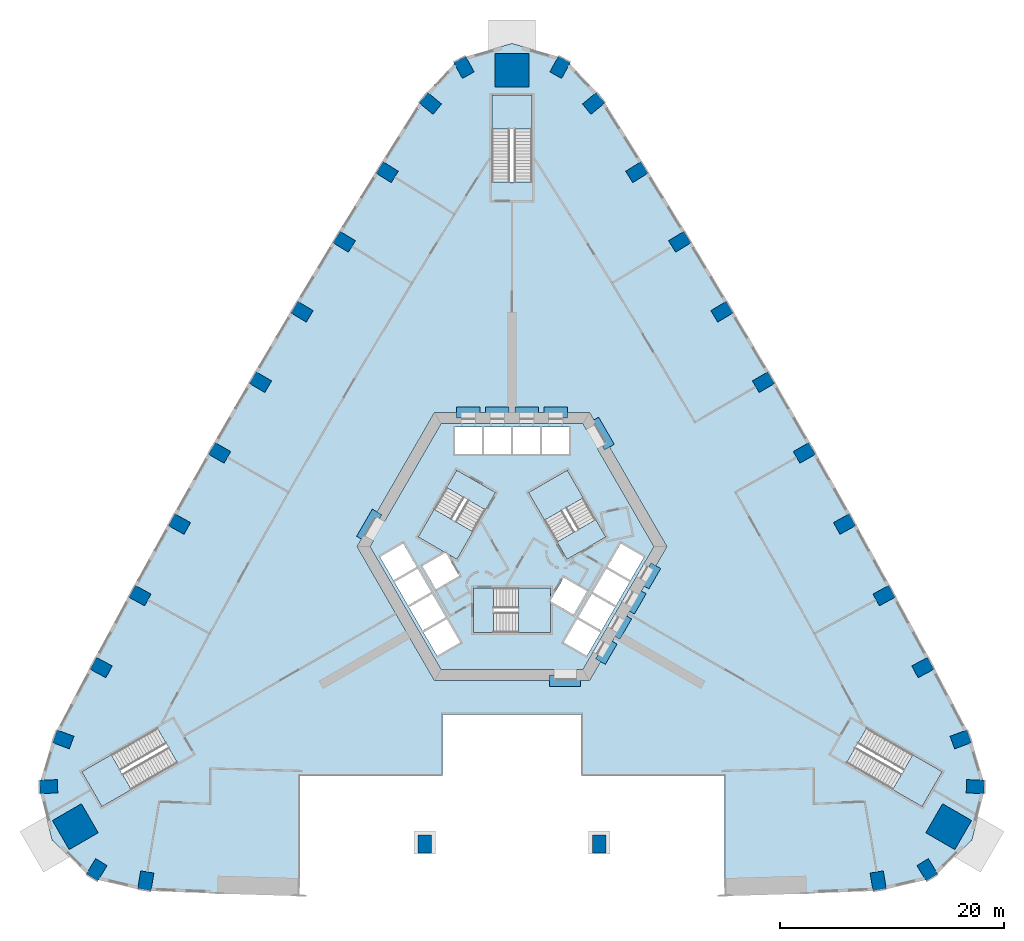
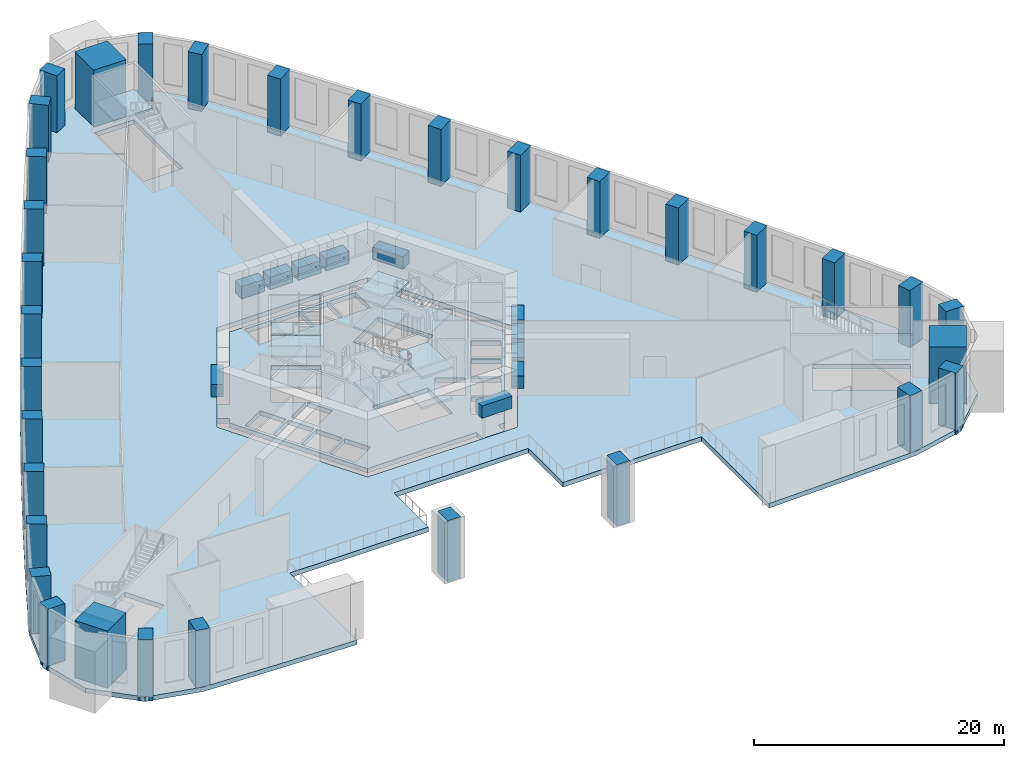
# One storey, part 1 of 15: 33 columns, 14 slabs, 11 beams, 6 elements without a shape of their own.
"""IFC4 building model written with IfcOpenShell, lengths in metres."""

from ifc_helpers import new_model, si_unit, direction, frame, origin, origin_2d, place, context, subcontext, project, spatial, polyline, rectangle, outline, extrude, material, layer, layer_set, material_profile, profile_set, type_object, element, aggregate, save


model = new_model("IFC4")

# Units and contexts
model_context = context("Model", 3, precision=1e-05, world=origin(), true_north=direction((0.0, 1.0)))
body_context = subcontext(model_context, "Body", "Model", "MODEL_VIEW")
ifc_project = project(units=[si_unit("LENGTHUNIT", "METRE"), si_unit("AREAUNIT", "SQUARE_METRE"), si_unit("VOLUMEUNIT", "CUBIC_METRE"), si_unit("PLANEANGLEUNIT", "RADIAN"), si_unit("MASSUNIT", "GRAM", prefix="KILO")], contexts=[model_context])

# Site, building, storey
site_placement = place(None, origin())
site = spatial("IfcSite", under=ifc_project, at=site_placement, CompositionType="ELEMENT")
building_placement = place(site_placement, origin())
building = spatial("IfcBuilding", under=site, at=building_placement, Name="Entoto Arch Interchange Tower", CompositionType="ELEMENT")
storey_placement = place(building_placement, frame((0.0, 0.0, 9.0)))
storey = spatial("IfcBuildingStorey", under=building, at=storey_placement, Name="L01", CompositionType="ELEMENT", Elevation=9.0)

# Columns
ifc_material_1 = material(Name="Concrete C60/75", Category="concrete")
ifc_material_profile_1 = material_profile(ifc_material_1, rectangle(XDim=1.199951171875, YDim=1.60009765625, at=origin_2d()))
ifc_profile_set_1 = profile_set([ifc_material_profile_1], Name="Concrete C60/75")
column_type_1 = type_object("IfcColumnType", Name="Column RC 1200x1600 C60/75", PredefinedType="COLUMN", material=ifc_profile_set_1)
for number, where, z_axis, x_axis, name in (
    (1, (-32.760986328125, -27.39697265625, -0.449951171875), (0.0, 0.0, 1.0), (-0.98600476771, 0.166717119856, 0.0), "Column S01 L01"),
    (2, (32.760986328125, -27.39697265625, -0.449951171875), (0.0, 0.0, 1.0), (0.98600476771, 0.166717119856, 0.0), "Column S06 L01"),
    (3, (37.152099609375, -26.410888671875, -0.449951171875), (0.0, 0.0, 1.0), (0.854522294989, 0.519414716163, 0.0), "Column SE1 L01"),
    (4, (41.447998046875, -18.968994140625, -0.449951171875), (0.0, 0.0, 1.0), (0.022565191802, 0.999745373642, 0.0), "Column SE3 L01"),
    (5, (40.14697265625, -14.7509765625, -0.449951171875), (0.0, 0.0, 1.0), (-0.348277574304, 0.937391450375, 0.0), "Column NE01 L01"),
    (6, (36.7529296875, -8.324951171875, -0.449951171875), (0.0, 0.0, 1.0), (-0.46931745221, 0.883029517656, 0.0), "Column NE02 L01"),
    (7, (33.282958984375, -1.888916015625, -0.449951171875), (0.0, 0.0, 1.0), (-0.478140110514, 0.878283573066, 0.0), "Column NE03 L01"),
    (8, (29.75, 4.511962890625, -0.449951171875), (0.0, 0.0, 1.0), (-0.486914781103, 0.873449481048, 0.0), "Column NE04 L01"),
    (9, (26.155029296875, 10.8798828125, -0.449951171875), (0.0, 0.0, 1.0), (-0.495655741916, 0.868519076074, 0.0), "Column NE05 L01"),
    (10, (22.5, 17.2109375, -0.449951171875), (0.0, 0.0, 1.0), (-0.504331712594, 0.863510002068, 0.0), "Column NE06 L01"),
    (11, (18.781982421875, 23.508056640625, -0.449951171875), (0.0, 0.0, 1.0), (-0.512972048958, 0.858405310438, 0.0), "Column NE07 L01"),
    (12, (15.0048828125, 29.76904296875, -0.449951171875), (0.0, 0.0, 1.0), (-0.521545830745, 0.853223268806, 0.0), "Column NE08 L01"),
    (13, (11.1669921875, 35.992919921875, -0.449951171875), (0.0, 0.0, 1.0), (-0.530067268476, 0.847955594881, 0.0), "Column NE09 L01"),
    (14, (7.299072265625, 42.14404296875, -0.449951171875), (0.0, 0.0, 1.0), (-0.637666022163, 0.770312952103, 0.0), "Column NE10 L01"),
    (15, (4.297119140625, 45.3798828125, -0.449951171875), (0.0, 0.0, 1.0), (-0.877079103306, 0.48034596547, 0.0), "Column N1 L01"),
    (16, (-4.297119140625, 45.3798828125, -0.449951171875), (0.0, 0.0, 1.0), (0.877079103306, 0.48034596547, 0.0), "Column N3 L01"),
    (17, (-7.299072265625, 42.14404296875, -0.449951171875), (0.0, 0.0, 1.0), (0.637666022163, 0.770312952103, 0.0), "Column NW01 L01"),
    (18, (-11.1669921875, 35.992919921875, -0.449951171875), (0.0, 0.0, 1.0), (0.530067268476, 0.847955594881, 0.0), "Column NW02 L01"),
    (19, (-15.0048828125, 29.76904296875, -0.449951171875), (0.0, 0.0, 1.0), (0.521545830745, 0.853223268806, 0.0), "Column NW03 L01"),
    (20, (-18.781982421875, 23.508056640625, -0.449951171875), (0.0, 0.0, 1.0), (0.512972048958, 0.858405310438, 0.0), "Column NW04 L01"),
    (21, (-22.5, 17.2109375, -0.449951171875), (0.0, 0.0, 1.0), (0.504331712594, 0.863510002068, 0.0), "Column NW05 L01"),
    (22, (-26.155029296875, 10.8798828125, -0.449951171875), (0.0, 0.0, 1.0), (0.495655741916, 0.868519076074, 0.0), "Column NW06 L01"),
    (23, (-29.75, 4.511962890625, -0.449951171875), (0.0, 0.0, 1.0), (0.486914781103, 0.873449481048, 0.0), "Column NW07 L01"),
    (24, (-33.282958984375, -1.888916015625, -0.449951171875), (0.0, 0.0, 1.0), (0.478140110514, 0.878283573066, 0.0), "Column NW08 L01"),
    (25, (-36.7529296875, -8.324951171875, -0.449951171875), (0.0, 0.0, 1.0), (0.46931745221, 0.883029517656, 0.0), "Column NW09 L01"),
    (26, (-40.14697265625, -14.7509765625, -0.449951171875), (0.0, 0.0, 1.0), (0.348277574304, 0.937391450375, 0.0), "Column NW10 L01"),
    (27, (-41.447998046875, -18.968994140625, -0.449951171875), (0.0, 0.0, 1.0), (-0.022565191802, 0.999745373642, 0.0), "Column SW1 L01"),
    (28, (-37.152099609375, -26.410888671875, -0.449951171875), (0.0, 0.0, 1.0), (-0.854522294989, 0.519414716163, 0.0), "Column SW3 L01"),
    (29, (-7.800048828125, -24.10009765625, -0.449951171875), (0.0, 0.0, 1.0), (1.0, 0.0, 0.0), "Column ARC-W L01"),
    (30, (7.800048828125, -24.10009765625, -0.449951171875), (0.0, 0.0, 1.0), (1.0, 0.0, 0.0), "Column ARC-E L01"),
):
    element("IfcColumn", number, at=place(storey_placement, frame(where, z_axis=z_axis, x_axis=x_axis)), inside=storey, type_object=column_type_1, Name=name, PredefinedType="COLUMN", context=body_context, shape_type="SweptSolid", body=[
        extrude(rectangle(XDim=1.199951171875, YDim=1.60009765625, at=origin_2d()), origin(), (0.0, 0.0, 1.0), 6.0),
    ])
ifc_material_profile_2 = material_profile(ifc_material_1, rectangle(XDim=3.0, YDim=3.0, at=origin_2d()))
ifc_profile_set_2 = profile_set([ifc_material_profile_2], Name="Concrete C60/75")
column_type_2 = type_object("IfcColumnType", Name="Mega column RC 3000x3000 C60/75", PredefinedType="COLUMN", material=ifc_profile_set_2)
for number, where, z_axis, x_axis, name in (
    (31, (39.069091796875, -22.555908203125, -0.449951171875), (0.0, 0.0, 1.0), (-0.866025403784, 0.5, 0.0), "Corner mega column SE2 L01"),
    (32, (0.0, 45.112060546875, -0.449951171875), (0.0, 0.0, 1.0), (0.0, 1.0, 0.0), "Corner mega column N2 L01"),
    (33, (-39.069091796875, -22.555908203125, -0.449951171875), (0.0, 0.0, 1.0), (0.866025403784, 0.5, 0.0), "Corner mega column SW2 L01"),
):
    element("IfcColumn", number, at=place(storey_placement, frame(where, z_axis=z_axis, x_axis=x_axis)), inside=storey, type_object=column_type_2, Name=name, PredefinedType="COLUMN", context=body_context, shape_type="SweptSolid", body=[
        extrude(rectangle(XDim=3.0, YDim=3.0, at=origin_2d()), origin(), (0.0, 0.0, 1.0), 6.0),
    ])

# Beams
ifc_material_profile_3 = material_profile(ifc_material_1, rectangle(XDim=1.0, YDim=1.199951171875, at=origin_2d()))
ifc_profile_set_3 = profile_set([ifc_material_profile_3], Name="Concrete C60/75")
beam_type = type_object("IfcBeamType", Name="Coupling beam RC 1000x1200 C60/75", PredefinedType="BEAM", material=ifc_profile_set_3)
beam_1_placement = place(storey_placement, frame((8.717041015625, 11.402099609375, 3.0), z_axis=(-0.500200581029, 0.865909567298, 0.0), x_axis=(-0.865909567298, -0.500200581029, 0.0)))
element("IfcBeam", 34, at=beam_1_placement, inside=storey, type_object=beam_type, Name="Coupling beam NE L01", PredefinedType="BEAM", context=body_context, shape_type="SweptSolid", body=[
    extrude(rectangle(XDim=1.0, YDim=1.199951171875, at=origin_2d()), origin(), (0.0, 0.0, 1.0), 2.799072265625),
])
beam_2_placement = place(storey_placement, frame((4.949951171875, 14.5, 3.0), z_axis=(-1.0, 0.0, 0.0), x_axis=(0.0, -1.0, 0.0)))
element("IfcBeam", 35, at=beam_2_placement, inside=storey, type_object=beam_type, Name="Coupling beam N L01", PredefinedType="BEAM", context=body_context, shape_type="SweptSolid", body=[
    extrude(rectangle(XDim=1.0, YDim=1.199951171875, at=origin_2d()), origin(), (0.0, 0.0, 1.0), 2.099853515625),
])
for number, where, z_axis, x_axis, name in (
    (36, (2.35009765625, 14.5, 3.0), (-1.0, 0.0, 0.0), (0.0, -1.0, 0.0), "Coupling beam N L01"),
    (37, (-0.25, 14.5, 3.0), (-1.0, 0.0, 0.0), (0.0, -1.0, 0.0), "Coupling beam N L01"),
):
    element("IfcBeam", number, at=place(storey_placement, frame(where, z_axis=z_axis, x_axis=x_axis)), inside=storey, type_object=beam_type, Name=name, PredefinedType="BEAM", context=body_context, shape_type="SweptSolid", body=[
        extrude(rectangle(XDim=1.0, YDim=1.199951171875, at=origin_2d()), origin(), (0.0, 0.0, 1.0), 2.10009765625),
    ])
beam_3_placement = place(storey_placement, frame((-2.85009765625, 14.5, 3.0), z_axis=(-1.0, 0.0, 0.0), x_axis=(0.0, -1.0, 0.0)))
element("IfcBeam", 38, at=beam_3_placement, inside=storey, type_object=beam_type, Name="Coupling beam N L01", PredefinedType="BEAM", context=body_context, shape_type="SweptSolid", body=[
    extrude(rectangle(XDim=1.0, YDim=1.199951171875, at=origin_2d()), origin(), (0.0, 0.0, 1.0), 2.099853515625),
])
beam_4_placement = place(storey_placement, frame((-12.06689453125, 5.597900390625, 3.0), z_axis=(-0.500200581029, -0.865909567298, 0.0), x_axis=(0.865909567298, -0.500200581029, 0.0)))
element("IfcBeam", 39, at=beam_4_placement, inside=storey, type_object=beam_type, Name="Coupling beam NW L01", PredefinedType="BEAM", context=body_context, shape_type="SweptSolid", body=[
    extrude(rectangle(XDim=1.0, YDim=1.199951171875, at=origin_2d()), origin(), (0.0, 0.0, 1.0), 2.799072265625),
])
beam_5_placement = place(storey_placement, frame((3.35009765625, -9.5, 3.0), z_axis=(1.0, 0.0, 0.0), x_axis=(0.0, 1.0, 0.0)))
element("IfcBeam", 40, at=beam_5_placement, inside=storey, type_object=beam_type, Name="Coupling beam S L01", PredefinedType="BEAM", context=body_context, shape_type="SweptSolid", body=[
    extrude(rectangle(XDim=1.0, YDim=1.199951171875, at=origin_2d()), origin(), (0.0, 0.0, 1.0), 2.7998046875),
])
for number, where, z_axis, x_axis, name in (
    (41, (7.9169921875, -7.785888671875, 3.0), (0.500178781653, 0.865922159541, 0.0), (-0.865922159541, 0.500178781653, 0.0), "Coupling beam SE L01"),
    (42, (9.217041015625, -5.534912109375, 3.0), (0.500178781653, 0.865922159541, 0.0), (-0.865922159541, 0.500178781653, 0.0), "Coupling beam SE L01"),
):
    element("IfcBeam", number, at=place(storey_placement, frame(where, z_axis=z_axis, x_axis=x_axis)), inside=storey, type_object=beam_type, Name=name, PredefinedType="BEAM", context=body_context, shape_type="SweptSolid", body=[
        extrude(rectangle(XDim=1.0, YDim=1.199951171875, at=origin_2d()), origin(), (0.0, 0.0, 1.0), 2.099365234375),
    ])
beam_6_placement = place(storey_placement, frame((10.51708984375, -3.282958984375, 3.0), z_axis=(0.500091574638, 0.865972526687, 0.0), x_axis=(-0.865972526687, 0.500091574638, 0.0)))
element("IfcBeam", 43, at=beam_6_placement, inside=storey, type_object=beam_type, Name="Coupling beam SE L01", PredefinedType="BEAM", context=body_context, shape_type="SweptSolid", body=[
    extrude(rectangle(XDim=1.0, YDim=1.199951171875, at=origin_2d()), origin(), (0.0, 0.0, 1.0), 2.09912109375),
])
beam_7_placement = place(storey_placement, frame((11.81689453125, -1.031982421875, 3.0), z_axis=(0.500178781653, 0.865922159541, 0.0), x_axis=(-0.865922159541, 0.500178781653, 0.0)))
element("IfcBeam", 44, at=beam_7_placement, inside=storey, type_object=beam_type, Name="Coupling beam SE L01", PredefinedType="BEAM", context=body_context, shape_type="SweptSolid", body=[
    extrude(rectangle(XDim=1.0, YDim=1.199951171875, at=origin_2d()), origin(), (0.0, 0.0, 1.0), 2.099365234375),
])

# Slab
ifc_material_2 = material(Name="Concrete C40/50", Category="concrete")
ifc_layer_1 = layer(ifc_material_2, 0.449951171875)
ifc_layer_set_1 = layer_set([ifc_layer_1], Name="Concrete C40/50")
slab_type_1 = type_object("IfcSlabType", Name="Core floor slab 450 C40/50", PredefinedType="FLOOR", material=ifc_layer_set_1)
slab_1_placement = place(storey_placement, frame((0.0, 0.0, -0.449951171875)))
element("IfcSlab", 45, at=slab_1_placement, inside=storey, type_object=slab_type_1, Name="Core floor slab L01", PredefinedType="FLOOR", context=body_context, shape_type="SweptSolid", body=[
    extrude(outline(polyline([(5.75, -9.5), (3.75, -9.5), (3.75, -8.5), (-6.35107421875, -8.5), (-12.701904296875, 2.5), (-12.402099609375, 3.02001953125), (-13.26708984375, 3.52001953125), (-12.26708984375, 5.251953125), (-11.402099609375, 4.751953125), (-6.35107421875, 13.5), (6.35107421875, 13.5), (6.65087890625, 12.97998046875), (7.51708984375, 13.47998046875), (8.51708984375, 11.748046875), (7.65087890625, 11.248046875), (12.701904296875, 2.5), (6.35107421875, -8.5), (5.75, -8.5), (5.75, -9.5)]), holes=[polyline([(-4.637939453125, -6.06689453125), (-5.837890625, -3.988037109375), (-7.916015625, -5.18798828125), (-6.716064453125, -7.26708984375), (-4.637939453125, -6.06689453125)]), polyline([(-5.93798828125, -3.81494140625), (-7.137939453125, -1.737060546875), (-9.216064453125, -2.93701171875), (-8.01611328125, -5.014892578125), (-5.93798828125, -3.81494140625)]), polyline([(5.5048828125, -3.56494140625), (6.705078125, -1.487060546875), (4.626953125, -0.287109375), (3.449951171875, -2.324951171875), (3.449951171875, -1.199951171875), (-1.64990234375, -1.199951171875), (-1.64990234375, -5.199951171875), (3.449951171875, -5.199951171875), (3.449951171875, -2.3779296875), (5.5048828125, -3.56494140625)]), polyline([(-7.238037109375, -1.56298828125), (-8.43798828125, 0.514892578125), (-10.51611328125, -0.68505859375), (-9.31591796875, -2.762939453125), (-7.238037109375, -1.56298828125)]), polyline([(-4.72705078125, -0.113037109375), (-5.904052734375, 1.925048828125), (-4.928955078125, 1.362060546875), (-2.37890625, 5.779052734375), (-5.843017578125, 7.779052734375), (-8.39306640625, 3.362060546875), (-5.949951171875, 1.951904296875), (-8.0048828125, 0.764892578125), (-6.804931640625, -1.31298828125), (-4.72705078125, -0.113037109375)]), polyline([(-8.5380859375, 0.68798828125), (-9.738037109375, 2.76708984375), (-11.81591796875, 1.56689453125), (-10.615966796875, -0.511962890625), (-8.5380859375, 0.68798828125)]), polyline([(-5.10009765625, 10.800048828125), (-2.699951171875, 10.800048828125), (-2.699951171875, 13.199951171875), (-5.10009765625, 13.199951171875), (-5.10009765625, 10.800048828125)]), polyline([(-2.5, 10.800048828125), (-0.10009765625, 10.800048828125), (-0.10009765625, 13.199951171875), (-2.5, 13.199951171875), (-2.5, 10.800048828125)]), polyline([(5.837890625, -3.988037109375), (4.637939453125, -6.06689453125), (6.716064453125, -7.26708984375), (7.916015625, -5.18798828125), (5.837890625, -3.988037109375)]), polyline([(7.137939453125, -1.737060546875), (5.93798828125, -3.81494140625), (8.01611328125, -5.014892578125), (9.216064453125, -2.93701171875), (7.137939453125, -1.737060546875)]), polyline([(8.43798828125, 0.514892578125), (7.238037109375, -1.56298828125), (9.31591796875, -2.762939453125), (10.51611328125, -0.68505859375), (8.43798828125, 0.514892578125)]), polyline([(9.738037109375, 2.76708984375), (8.5380859375, 0.68798828125), (10.615966796875, -0.511962890625), (11.81591796875, 1.56689453125), (9.738037109375, 2.76708984375)]), polyline([(4.029052734375, 2.9208984375), (7.492919921875, 4.9208984375), (4.943115234375, 9.337890625), (1.47900390625, 7.337890625), (4.029052734375, 2.9208984375)]), polyline([(0.10009765625, 13.199951171875), (0.10009765625, 10.800048828125), (2.5, 10.800048828125), (2.5, 13.199951171875), (0.10009765625, 13.199951171875)]), polyline([(2.699951171875, 13.199951171875), (2.699951171875, 10.800048828125), (5.10009765625, 10.800048828125), (5.10009765625, 13.199951171875), (2.699951171875, 13.199951171875)])]), origin(), (0.0, 0.0, 1.0), 0.449951171875),
])

# Stair, slabs
stair_type_1 = type_object("IfcStairType", Name="EXIT STAIR RC 1800", PredefinedType="HALF_TURN_STAIR", material=ifc_material_2)
stair_1_placement = place(storey_placement, origin())
stair_1 = element("IfcStair", 46, at=stair_1_placement, inside=storey, type_object=stair_type_1, Name="L01 Exit stair S", PredefinedType="HALF_TURN_STAIR")
ifc_layer_2 = layer(ifc_material_2, 0.199951171875)
ifc_layer_set_2 = layer_set([ifc_layer_2], Name="Concrete C40/50")
slab_type_2 = type_object("IfcSlabType", Name="EXIT STAIR LANDING RC 200", PredefinedType="LANDING", material=ifc_layer_set_2)
slab_2_placement = place(storey_placement, frame((0.0, 0.0, 1.300048828125)))
slab_2 = element("IfcSlab", 47, at=slab_2_placement, type_object=slab_type_2, Name="ST-S landing 1", PredefinedType="LANDING", context=body_context, shape_type="SweptSolid", body=[
    extrude(outline(polyline([(0.590087890625, -5.199951171875), (3.449951171875, -5.199951171875), (3.449951171875, -1.199951171875), (0.590087890625, -1.199951171875), (0.590087890625, -5.199951171875)])), origin(), (0.0, 0.0, 1.0), 0.199951171875),
])
slab_3_placement = place(storey_placement, frame((0.0, 0.0, 2.800048828125)))
slab_3 = element("IfcSlab", 48, at=slab_3_placement, type_object=slab_type_2, Name="ST-S landing 2", PredefinedType="LANDING", context=body_context, shape_type="SweptSolid", body=[
    extrude(outline(polyline([(-3.449951171875, -5.199951171875), (-1.64990234375, -5.199951171875), (-1.64990234375, -1.199951171875), (-3.449951171875, -1.199951171875), (-3.449951171875, -5.199951171875)])), origin(), (0.0, 0.0, 1.0), 0.199951171875),
])
slab_4_placement = place(storey_placement, frame((0.0, 0.0, 4.300048828125)))
slab_4 = element("IfcSlab", 49, at=slab_4_placement, type_object=slab_type_2, Name="ST-S landing 3", PredefinedType="LANDING", context=body_context, shape_type="SweptSolid", body=[
    extrude(outline(polyline([(0.590087890625, -5.199951171875), (3.449951171875, -5.199951171875), (3.449951171875, -1.199951171875), (0.590087890625, -1.199951171875), (0.590087890625, -5.199951171875)])), origin(), (0.0, 0.0, 1.0), 0.199951171875),
])
aggregate(stair_1, [slab_2, slab_3, slab_4])

stair_2_placement = place(storey_placement, origin())
stair_2 = element("IfcStair", 50, at=stair_2_placement, inside=storey, type_object=stair_type_1, Name="L01 Exit stair NE", PredefinedType="HALF_TURN_STAIR")
slab_5_placement = place(storey_placement, frame((0.0, 0.0, 1.300048828125)))
slab_5 = element("IfcSlab", 51, at=slab_5_placement, type_object=slab_type_2, Name="ST-NE landing 1", PredefinedType="LANDING", context=body_context, shape_type="SweptSolid", body=[
    extrude(outline(polyline([(6.373291015625, 6.86083984375), (4.943359375, 9.337890625), (1.479248046875, 7.337890625), (2.9091796875, 4.86083984375), (6.373291015625, 6.86083984375)])), origin(), (0.0, 0.0, 1.0), 0.199951171875),
])
slab_6_placement = place(storey_placement, frame((0.0, 0.0, 2.800048828125)))
slab_6 = element("IfcSlab", 52, at=slab_6_placement, type_object=slab_type_2, Name="ST-NE landing 2", PredefinedType="LANDING", context=body_context, shape_type="SweptSolid", body=[
    extrude(outline(polyline([(8.393310546875, 3.3623046875), (7.493408203125, 4.921142578125), (4.029296875, 2.921142578125), (4.92919921875, 1.3623046875), (8.393310546875, 3.3623046875)])), origin(), (0.0, 0.0, 1.0), 0.199951171875),
])
slab_7_placement = place(storey_placement, frame((0.0, 0.0, 4.300048828125)))
slab_7 = element("IfcSlab", 53, at=slab_7_placement, type_object=slab_type_2, Name="ST-NE landing 3", PredefinedType="LANDING", context=body_context, shape_type="SweptSolid", body=[
    extrude(outline(polyline([(6.373291015625, 6.86083984375), (4.943359375, 9.337890625), (1.479248046875, 7.337890625), (2.9091796875, 4.86083984375), (6.373291015625, 6.86083984375)])), origin(), (0.0, 0.0, 1.0), 0.199951171875),
])
aggregate(stair_2, [slab_5, slab_6, slab_7])

stair_3_placement = place(storey_placement, origin())
stair_3 = element("IfcStair", 54, at=stair_3_placement, inside=storey, type_object=stair_type_1, Name="L01 Exit stair NW", PredefinedType="HALF_TURN_STAIR")
slab_8_placement = place(storey_placement, frame((0.0, 0.0, 1.300048828125)))
slab_8 = element("IfcSlab", 55, at=slab_8_placement, type_object=slab_type_2, Name="ST-NW landing 1", PredefinedType="LANDING", context=body_context, shape_type="SweptSolid", body=[
    extrude(outline(polyline([(-6.96337890625, 5.839111328125), (-8.393310546875, 3.3623046875), (-4.92919921875, 1.3623046875), (-3.499267578125, 3.839111328125), (-6.96337890625, 5.839111328125)])), origin(), (0.0, 0.0, 1.0), 0.199951171875),
])
slab_9_placement = place(storey_placement, frame((0.0, 0.0, 2.800048828125)))
slab_9 = element("IfcSlab", 56, at=slab_9_placement, type_object=slab_type_2, Name="ST-NW landing 2", PredefinedType="LANDING", context=body_context, shape_type="SweptSolid", body=[
    extrude(outline(polyline([(-4.943359375, 9.337890625), (-5.843505859375, 7.779052734375), (-2.37939453125, 5.779052734375), (-1.479248046875, 7.337890625), (-4.943359375, 9.337890625)])), origin(), (0.0, 0.0, 1.0), 0.199951171875),
])
slab_10_placement = place(storey_placement, frame((0.0, 0.0, 4.300048828125)))
slab_10 = element("IfcSlab", 57, at=slab_10_placement, type_object=slab_type_2, Name="ST-NW landing 3", PredefinedType="LANDING", context=body_context, shape_type="SweptSolid", body=[
    extrude(outline(polyline([(-6.96337890625, 5.839111328125), (-8.393310546875, 3.3623046875), (-4.92919921875, 1.3623046875), (-3.499267578125, 3.839111328125), (-6.96337890625, 5.839111328125)])), origin(), (0.0, 0.0, 1.0), 0.199951171875),
])
aggregate(stair_3, [slab_8, slab_9, slab_10])

# Stair, slab
stair_type_2 = type_object("IfcStairType", Name="PODIUM EXIT STAIR RC 1600", PredefinedType="HALF_TURN_STAIR", material=ifc_material_2)
stair_4_placement = place(storey_placement, origin())
stair_4 = element("IfcStair", 58, at=stair_4_placement, inside=storey, type_object=stair_type_2, Name="L01 Podium exit stair north", PredefinedType="HALF_TURN_STAIR")
slab_11_placement = place(storey_placement, frame((0.0, 0.0, 2.800048828125)))
slab_11 = element("IfcSlab", 59, at=slab_11_placement, type_object=slab_type_2, Name="PST-N landing 1", PredefinedType="LANDING", context=body_context, shape_type="SweptSolid", body=[
    extrude(outline(polyline([(1.800048828125, 39.860107421875), (1.800048828125, 42.89990234375), (-1.800048828125, 42.89990234375), (-1.800048828125, 39.860107421875), (1.800048828125, 39.860107421875)])), origin(), (0.0, 0.0, 1.0), 0.199951171875),
])
aggregate(stair_4, [slab_11])

stair_5_placement = place(storey_placement, origin())
stair_5 = element("IfcStair", 60, at=stair_5_placement, inside=storey, type_object=stair_type_2, Name="L01 Podium exit stair south-west", PredefinedType="HALF_TURN_STAIR")
slab_12_placement = place(storey_placement, frame((0.0, 0.0, 2.800048828125)))
slab_12 = element("IfcSlab", 61, at=slab_12_placement, type_object=slab_type_2, Name="PST-SW landing 1", PredefinedType="LANDING", context=body_context, shape_type="SweptSolid", body=[
    extrude(outline(polyline([(-35.852783203125, -16.12109375), (-38.485595703125, -17.64111328125), (-36.685546875, -20.7587890625), (-34.052734375, -19.23876953125), (-35.852783203125, -16.12109375)])), origin(), (0.0, 0.0, 1.0), 0.199951171875),
])
aggregate(stair_5, [slab_12])

stair_6_placement = place(storey_placement, origin())
stair_6 = element("IfcStair", 62, at=stair_6_placement, inside=storey, type_object=stair_type_2, Name="L01 Podium exit stair south-east", PredefinedType="HALF_TURN_STAIR")
slab_13_placement = place(storey_placement, frame((0.0, 0.0, 2.800048828125)))
slab_13 = element("IfcSlab", 63, at=slab_13_placement, type_object=slab_type_2, Name="PST-SE landing 1", PredefinedType="LANDING", context=body_context, shape_type="SweptSolid", body=[
    extrude(outline(polyline([(34.052734375, -19.23876953125), (36.685546875, -20.7587890625), (38.485595703125, -17.64111328125), (35.852783203125, -16.12109375), (34.052734375, -19.23876953125)])), origin(), (0.0, 0.0, 1.0), 0.199951171875),
])
aggregate(stair_6, [slab_13])

# Slab
ifc_layer_3 = layer(ifc_material_2, 0.449951171875)
ifc_layer_set_3 = layer_set([ifc_layer_3], Name="Concrete C40/50")
slab_type_3 = type_object("IfcSlabType", Name="Post-tensioned flat plate 450 C40/50", PredefinedType="FLOOR", material=ifc_layer_set_3)
slab_14_placement = place(storey_placement, frame((0.0, 0.0, -0.449951171875)))
element("IfcSlab", 64, at=slab_14_placement, inside=storey, type_object=slab_type_3, Name="Floor slab L01", PredefinedType="FLOOR", context=body_context, shape_type="SweptSolid", body=[
    extrude(outline(polyline([(-26.376953125, -28.5400390625), (-19.0, -28.761962890625), (-19.0, -18.0), (-6.199951171875, -18.0), (-6.199951171875, -12.5), (6.199951171875, -12.5), (6.199951171875, -18.0), (19.0, -18.0), (19.0, -28.761962890625), (26.376953125, -28.5400390625), (32.910888671875, -28.283935546875), (37.618896484375, -27.179931640625), (41.14697265625, -23.756103515625), (42.347900390625, -18.989013671875), (40.990966796875, -14.43798828125), (37.548095703125, -7.903076171875), (34.072998046875, -1.458984375), (30.535888671875, 4.949951171875), (26.93701171875, 11.325927734375), (23.277099609375, 17.6650390625), (19.554931640625, 23.969970703125), (15.77294921875, 30.238037109375), (11.929931640625, 36.469970703125), (7.991943359375, 42.718017578125), (4.72900390625, 46.1689453125), (0.0, 47.511962890625), (-4.72900390625, 46.1689453125), (-7.991943359375, 42.718017578125), (-11.929931640625, 36.469970703125), (-15.77294921875, 30.238037109375), (-19.554931640625, 23.969970703125), (-23.277099609375, 17.6650390625), (-26.93701171875, 11.325927734375), (-30.535888671875, 4.949951171875), (-34.072998046875, -1.458984375), (-37.548095703125, -7.903076171875), (-40.990966796875, -14.43798828125), (-42.347900390625, -18.989013671875), (-41.14697265625, -23.756103515625), (-37.618896484375, -27.179931640625), (-32.910888671875, -28.283935546875), (-26.376953125, -28.5400390625)]), holes=[polyline([(-29.930908203125, -16.85888671875), (-31.73095703125, -13.740966796875), (-38.486083984375, -17.64111328125), (-36.68603515625, -20.759033203125), (-29.930908203125, -16.85888671875)]), polyline([(31.73095703125, -13.740966796875), (29.930908203125, -16.85888671875), (36.68603515625, -20.759033203125), (38.486083984375, -17.64111328125), (31.73095703125, -13.740966796875)]), polyline([(-6.927978515625, -9.5), (6.927978515625, -9.5), (13.85595703125, 2.5), (6.927978515625, 14.5), (-6.927978515625, 14.5), (-13.85595703125, 2.5), (-6.927978515625, -9.5)]), polyline([(-1.800048828125, 42.89990234375), (-1.800048828125, 35.10009765625), (1.800048828125, 35.10009765625), (1.800048828125, 42.89990234375), (-1.800048828125, 42.89990234375)])]), origin(), (0.0, 0.0, 1.0), 0.449951171875),
])

save(model, "model.ifc")
